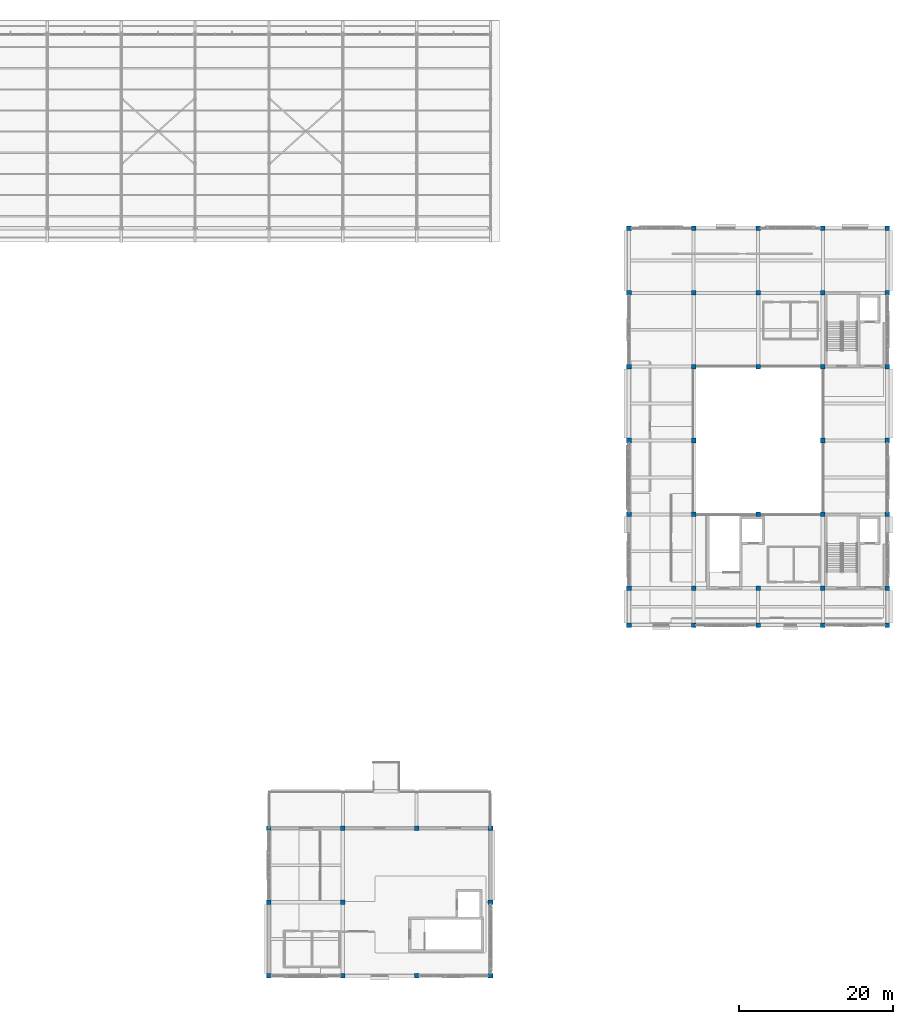
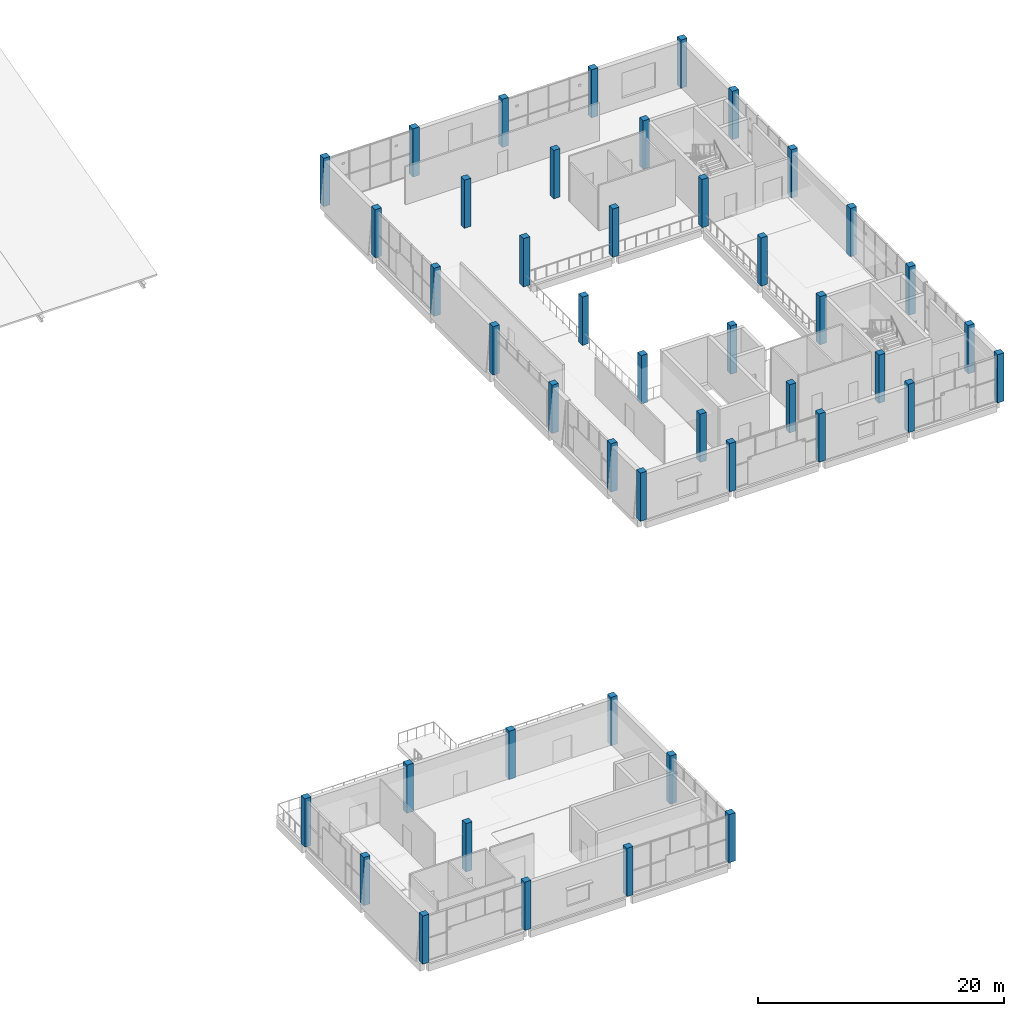
# One storey, part 1 of 37: 45 columns.
"""IFC4 building model written with IfcOpenShell, lengths in metres."""

import ifcopenshell
import ifcopenshell.guid

model = None  # the IFC model being written
_history = None  # IfcOwnerHistory: only IFC2X3 demands one
_inside = {}  # id of a spatial element -> (the spatial element, [elements in it])
_under = {}  # id of a project, library or spatial element -> (it, [spatial elements below it])
_declared = {}  # id of a project -> (the project, [libraries it declares])
_typed = {}  # id of a type object -> (the type object, [elements of that type])
_made_of = {}  # id of a material, layer set ... -> (it, [elements and type objects made of it])


def new_model(schema):
    """Start an empty IFC model of exactly this schema.

    Asked for "IFC4X3", IfcOpenShell would pick the latest addendum, in which some entities
    have other attributes; the version numbers below select the first issue.
    IFC2X3 requires an IfcOwnerHistory on every rooted entity: one is made here for all.
    """
    global model, _history
    if schema == "IFC4X3":
        model = ifcopenshell.file(schema_version=(4, 3, 0, 0))
    else:
        model = ifcopenshell.file(schema=schema)
    _inside.clear()
    _under.clear()
    _declared.clear()
    _typed.clear()
    _made_of.clear()
    _history = None
    if model.schema == "IFC2X3":
        org = make("IfcOrganization", Name="unknown")
        user = make(
            "IfcPersonAndOrganization",
            ThePerson=make("IfcPerson", FamilyName="unknown"),
            TheOrganization=org,
        )
        app = make(
            "IfcApplication",
            ApplicationDeveloper=org,
            Version="unknown",
            ApplicationFullName="unknown",
            ApplicationIdentifier="unknown",
        )
        _history = make(
            "IfcOwnerHistory",
            OwningUser=user,
            OwningApplication=app,
            ChangeAction="ADDED",
            CreationDate=0,
        )
    return model


def make(cls, **values):
    """One entity of the class cls with the attributes given. An attribute that is None is left unset."""
    return model.create_entity(
        cls, **{name: value for name, value in values.items() if value is not None}
    )


def rooted(cls, **values):
    """An entity with a GlobalId (a new one), such as an element, a storey or a relation."""
    return make(cls, GlobalId=ifcopenshell.guid.new(), OwnerHistory=_history, **values)


def si_unit(unit_type, name, prefix=None):
    """IfcSIUnit, for example si_unit("LENGTHUNIT", "METRE", prefix="MILLI")."""
    return make("IfcSIUnit", UnitType=unit_type, Prefix=prefix, Name=name)


def assignment(units):
    """IfcUnitAssignment: the units of a project."""
    return None if units is None else make("IfcUnitAssignment", Units=units)


def point(xyz):
    """IfcCartesianPoint."""
    return None if xyz is None else make("IfcCartesianPoint", Coordinates=xyz)


def direction(xyz):
    """IfcDirection."""
    return None if xyz is None else make("IfcDirection", DirectionRatios=xyz)


def frame(location, z_axis=None, x_axis=None):
    """IfcAxis2Placement3D, a coordinate frame: its origin and axes. An axis left out is left unset."""
    return make(
        "IfcAxis2Placement3D",
        Location=point(location),
        Axis=direction(z_axis),
        RefDirection=direction(x_axis),
    )


def frame_2d(location, x_axis=None):
    """IfcAxis2Placement2D, a coordinate frame in the plane: its origin and x axis."""
    return make(
        "IfcAxis2Placement2D", Location=point(location), RefDirection=direction(x_axis)
    )


def origin():
    """The frame at (0, 0, 0) with its axes left unset."""
    return frame((0.0, 0.0, 0.0))


def origin_2d():
    """The frame at (0, 0) in the plane with its x axis left unset."""
    return frame_2d((0.0, 0.0))


def place(relative_to, where):
    """IfcLocalPlacement: puts the frame where relative to a parent placement (None: the world)."""
    return make(
        "IfcLocalPlacement", PlacementRelTo=relative_to, RelativePlacement=where
    )


def context(
    kind, dimensions, precision=None, world=None, true_north=None, identifier=None
):
    """IfcGeometricRepresentationContext, for example the 3D "Model" context."""
    return make(
        "IfcGeometricRepresentationContext",
        ContextIdentifier=identifier,
        ContextType=kind,
        CoordinateSpaceDimension=dimensions,
        Precision=precision,
        WorldCoordinateSystem=world,
        TrueNorth=true_north,
    )


def subcontext(parent, identifier, kind, view, scale=None):
    """IfcGeometricRepresentationSubContext, for example "Body" below "Model"."""
    return make(
        "IfcGeometricRepresentationSubContext",
        ContextIdentifier=identifier,
        ContextType=kind,
        ParentContext=parent,
        TargetScale=scale,
        TargetView=view,
    )


def project(units=None, contexts=None):
    """IfcProject with its units and contexts."""
    return rooted(
        "IfcProject",
        Name="project",
        RepresentationContexts=contexts,
        UnitsInContext=assignment(units),
    )


def spatial(cls, under=None, at=None, **own):
    """A site, building, storey or space (cls), placed at a placement, below another one or the project."""
    s = rooted(cls, ObjectPlacement=at, **own)
    if under is not None:
        _under.setdefault(under.id(), (under, []))[1].append(s)
    return s


def profile(cls, at=None, kind="AREA", **sizes):
    """A parametric profile (cls). Its sizes go by their IFC names, for example OverallWidth=200.0."""
    return make(cls, ProfileType=kind, Position=at, **sizes)


def rectangle(**sizes):
    """IfcRectangleProfileDef."""
    return profile("IfcRectangleProfileDef", **sizes)


def extrude(swept, where, along, depth):
    """IfcExtrudedAreaSolid: the profile swept, set in the frame where, extruded along a direction by depth."""
    return make(
        "IfcExtrudedAreaSolid",
        SweptArea=swept,
        Position=where,
        ExtrudedDirection=direction(along),
        Depth=depth,
    )


def shape(context_of_items, identifier, shape_type, items):
    """IfcShapeRepresentation: the items that make up one representation, for example the "Body"."""
    return make(
        "IfcShapeRepresentation",
        ContextOfItems=context_of_items,
        RepresentationIdentifier=identifier,
        RepresentationType=shape_type,
        Items=items,
    )


def material(Name=None, Category=None):
    """IfcMaterial."""
    return make("IfcMaterial", Name=Name, Category=Category)


def material_profile(
    of_material, cross_section, Name=None, Category=None, Priority=None
):
    """IfcMaterialProfile: a cross section and its material."""
    return make(
        "IfcMaterialProfile",
        Name=Name,
        Material=of_material,
        Profile=cross_section,
        Priority=Priority,
        Category=Category,
    )


def profile_set(profiles, Name=None, composite=None):
    """IfcMaterialProfileSet."""
    return make(
        "IfcMaterialProfileSet",
        Name=Name,
        MaterialProfiles=profiles,
        CompositeProfile=composite,
    )


def made_of(thing, what):
    """Note that an element or type object is made of a material, layer set ...; save() writes the relation."""
    if what is not None:
        _made_of.setdefault(what.id(), (what, []))[1].append(thing)
    return thing


def type_object(cls, material=None, **own):
    """A type object (cls), such as IfcWallType, which elements share."""
    return made_of(rooted(cls, **own), material)


def element(
    cls,
    number,
    at=None,
    inside=None,
    cuts=None,
    type_object=None,
    material=None,
    context=None,
    identifier="Body",
    shape_type=None,
    held_by="IfcProductDefinitionShape",
    body=None,
    shapes=None,
    **own,
):
    """One element of the class cls, such as IfcWall. Its Tag is "e" and its number.

    at: its placement. inside: the storey or other place that contains it. cuts: it is an
    opening in that element (IfcRelVoidsElement). A single representation is given by context,
    identifier, shape_type and body (its items); several are given by shapes. held_by: the class
    of the entity that holds the representations. save() writes the other relations.
    """
    e = rooted(cls, Tag="e%d" % number, ObjectPlacement=at, **own)
    if body is not None:
        shapes = [shape(context, identifier, shape_type, body)]
    if shapes is not None:
        e.Representation = make(held_by, Representations=shapes)
    if inside is not None:
        _inside.setdefault(inside.id(), (inside, []))[1].append(e)
    if cuts is not None:
        rooted(
            "IfcRelVoidsElement", RelatingBuildingElement=cuts, RelatedOpeningElement=e
        )
    if type_object is not None:
        _typed.setdefault(type_object.id(), (type_object, []))[1].append(e)
    return made_of(e, material)


def aggregate(whole, parts):
    """IfcRelAggregates: a whole, such as a stair, and the parts it consists of."""
    return rooted("IfcRelAggregates", RelatingObject=whole, RelatedObjects=parts)


def save(model, path):
    """Write the relations noted so far, then the file.

    IfcRelAggregates (storeys below a building ...), IfcRelContainedInSpatialStructure (elements
    in a storey), IfcRelDefinesByType, IfcRelAssociatesMaterial and IfcRelDeclares: one each for
    every whole, place, type object, material and project.
    """
    for whole, parts in _under.values():
        aggregate(whole, parts)
    for where, things in _inside.values():
        rooted(
            "IfcRelContainedInSpatialStructure",
            RelatedElements=things,
            RelatingStructure=where,
        )
    for kind, things in _typed.values():
        rooted("IfcRelDefinesByType", RelatedObjects=things, RelatingType=kind)
    for what, things in _made_of.values():
        rooted("IfcRelAssociatesMaterial", RelatedObjects=things, RelatingMaterial=what)
    for by, libraries in _declared.values():
        rooted("IfcRelDeclares", RelatingContext=by, RelatedDefinitions=libraries)
    model.write(path)


model = new_model("IFC4")

# Units and contexts
model_context = context("Model", 3, precision=1e-05, world=origin(), true_north=direction((0.0, 1.0)))
body_context = subcontext(model_context, "Body", "Model", "MODEL_VIEW")
ifc_project = project(units=[si_unit("LENGTHUNIT", "METRE"), si_unit("AREAUNIT", "SQUARE_METRE"), si_unit("VOLUMEUNIT", "CUBIC_METRE"), si_unit("PLANEANGLEUNIT", "RADIAN"), si_unit("MASSUNIT", "GRAM", prefix="KILO")], contexts=[model_context])

# Site, building, storey
site_placement = place(None, origin())
site = spatial("IfcSite", under=ifc_project, at=site_placement, CompositionType="ELEMENT")
building_placement = place(site_placement, origin())
building = spatial("IfcBuilding", under=site, at=building_placement, Name="Shalvenor Court Art Gallery", CompositionType="ELEMENT")
storey_placement = place(building_placement, frame((0.0, 0.0, 22.199951171875)))
storey = spatial("IfcBuildingStorey", under=building, at=storey_placement, Name="L04", CompositionType="ELEMENT", Elevation=22.199951171875)

# Columns
ifc_material_1 = material(Name="Concrete C40/50", Category="concrete")
ifc_material_profile_1 = material_profile(ifc_material_1, rectangle(XDim=0.60009765625, YDim=0.60009765625, at=origin_2d()), Name="RC 600x600")
ifc_profile_set_1 = profile_set([ifc_material_profile_1], Name="Concrete C40/50")
column_type_1 = type_object("IfcColumnType", Name="C-03", PredefinedType="COLUMN", material=ifc_profile_set_1)
for number, where, z_axis, x_axis, name in (
    (1, (105.60009765625, 9.60009765625, 0.0), (0.0, 0.0, 1.0), (1.0, 0.0, 0.0), "L04 Column COL-L04-C-03-0400"),
    (2, (105.60009765625, 19.199951171875, 0.0), (0.0, 0.0, 1.0), (1.0, 0.0, 0.0), "L04 Column COL-L04-C-03-0406"),
    (3, (115.199951171875, 19.199951171875, 0.0), (0.0, 0.0, 1.0), (1.0, 0.0, 0.0), "L04 Column COL-L04-C-03-0456"),
    (4, (142.800048828125, 45.60009765625, 0.0), (0.0, 0.0, 1.0), (1.0, 0.0, 0.0), "L04 Column COL-L04-C-03-0556"),
    (5, (142.800048828125, 50.39990234375, 0.0), (0.0, 0.0, 1.0), (1.0, 0.0, 0.0), "L04 Column COL-L04-C-03-0562"),
    (6, (142.800048828125, 60.0, 0.0), (0.0, 0.0, 1.0), (1.0, 0.0, 0.0), "L04 Column COL-L04-C-03-0568"),
    (7, (142.800048828125, 69.60009765625, 0.0), (0.0, 0.0, 1.0), (1.0, 0.0, 0.0), "L04 Column COL-L04-C-03-0574"),
    (8, (142.800048828125, 79.199951171875, 0.0), (0.0, 0.0, 1.0), (1.0, 0.0, 0.0), "L04 Column COL-L04-C-03-0580"),
    (9, (142.800048828125, 88.800048828125, 0.0), (0.0, 0.0, 1.0), (1.0, 0.0, 0.0), "L04 Column COL-L04-C-03-0586"),
    (10, (151.199951171875, 45.60009765625, 0.0), (0.0, 0.0, 1.0), (1.0, 0.0, 0.0), "L04 Column COL-L04-C-03-0598"),
    (11, (151.199951171875, 50.39990234375, 0.0), (0.0, 0.0, 1.0), (1.0, 0.0, 0.0), "L04 Column COL-L04-C-03-0604"),
    (12, (151.199951171875, 60.0, 0.0), (0.0, 0.0, 1.0), (1.0, 0.0, 0.0), "L04 Column COL-L04-C-03-0610"),
    (13, (151.199951171875, 69.60009765625, 0.0), (0.0, 0.0, 1.0), (1.0, 0.0, 0.0), "L04 Column COL-L04-C-03-0616"),
    (14, (151.199951171875, 79.199951171875, 0.0), (0.0, 0.0, 1.0), (1.0, 0.0, 0.0), "L04 Column COL-L04-C-03-0622"),
    (15, (151.199951171875, 88.800048828125, 0.0), (0.0, 0.0, 1.0), (1.0, 0.0, 0.0), "L04 Column COL-L04-C-03-0628"),
    (16, (159.60009765625, 45.60009765625, 0.0), (0.0, 0.0, 1.0), (1.0, 0.0, 0.0), "L04 Column COL-L04-C-03-0640"),
    (17, (159.60009765625, 50.39990234375, 0.0), (0.0, 0.0, 1.0), (1.0, 0.0, 0.0), "L04 Column COL-L04-C-03-0647"),
    (18, (159.60009765625, 60.0, 0.0), (0.0, 0.0, 1.0), (1.0, 0.0, 0.0), "L04 Column COL-L04-C-03-0654"),
    (19, (159.60009765625, 79.199951171875, 0.0), (0.0, 0.0, 1.0), (1.0, 0.0, 0.0), "L04 Column COL-L04-C-03-0661"),
    (20, (159.60009765625, 88.800048828125, 0.0), (0.0, 0.0, 1.0), (1.0, 0.0, 0.0), "L04 Column COL-L04-C-03-0668"),
    (21, (168.0, 45.60009765625, 0.0), (0.0, 0.0, 1.0), (1.0, 0.0, 0.0), "L04 Column COL-L04-C-03-0682"),
    (22, (168.0, 50.39990234375, 0.0), (0.0, 0.0, 1.0), (1.0, 0.0, 0.0), "L04 Column COL-L04-C-03-0689"),
    (23, (168.0, 60.0, 0.0), (0.0, 0.0, 1.0), (1.0, 0.0, 0.0), "L04 Column COL-L04-C-03-0696"),
    (24, (168.0, 69.60009765625, 0.0), (0.0, 0.0, 1.0), (1.0, 0.0, 0.0), "L04 Column COL-L04-C-03-0703"),
    (25, (168.0, 79.199951171875, 0.0), (0.0, 0.0, 1.0), (1.0, 0.0, 0.0), "L04 Column COL-L04-C-03-0710"),
    (26, (168.0, 88.800048828125, 0.0), (0.0, 0.0, 1.0), (1.0, 0.0, 0.0), "L04 Column COL-L04-C-03-0717"),
):
    element("IfcColumn", number, at=place(storey_placement, frame(where, z_axis=z_axis, x_axis=x_axis)), inside=storey, type_object=column_type_1, Name=name, PredefinedType="COLUMN", context=body_context, shape_type="SweptSolid", body=[
        extrude(rectangle(XDim=0.60009765625, YDim=0.60009765625, at=origin_2d()), origin(), (0.0, 0.0, 1.0), 4.800048828125),
    ])
ifc_material_2 = material(Name="Concrete C40/50", Category="concrete")
ifc_material_profile_2 = material_profile(ifc_material_2, rectangle(XDim=0.60009765625, YDim=0.60009765625, at=origin_2d()), Name="RC 600x600")
ifc_profile_set_2 = profile_set([ifc_material_profile_2], Name="Concrete C40/50")
column_type_2 = type_object("IfcColumnType", Name="C-03E", PredefinedType="COLUMN", material=ifc_profile_set_2)
for number, where, z_axis, x_axis, name in (
    (27, (96.0, 0.0, 0.0), (0.0, 0.0, 1.0), (1.0, 0.0, 0.0), "L04 Column COL-L04-C-03E-0343"),
    (28, (96.0, 9.60009765625, 0.0), (0.0, 0.0, 1.0), (1.0, 0.0, 0.0), "L04 Column COL-L04-C-03E-0349"),
    (29, (96.0, 19.199951171875, 0.0), (0.0, 0.0, 1.0), (1.0, 0.0, 0.0), "L04 Column COL-L04-C-03E-0355"),
    (30, (105.60009765625, 0.0, 0.0), (0.0, 0.0, 1.0), (1.0, 0.0, 0.0), "L04 Column COL-L04-C-03E-0394"),
    (31, (115.199951171875, 0.0, 0.0), (0.0, 0.0, 1.0), (1.0, 0.0, 0.0), "L04 Column COL-L04-C-03E-0450"),
    (32, (124.800048828125, 0.0, 0.0), (0.0, 0.0, 1.0), (1.0, 0.0, 0.0), "L04 Column COL-L04-C-03E-0491"),
    (33, (124.800048828125, 9.60009765625, 0.0), (0.0, 0.0, 1.0), (1.0, 0.0, 0.0), "L04 Column COL-L04-C-03E-0497"),
    (34, (124.800048828125, 19.199951171875, 0.0), (0.0, 0.0, 1.0), (1.0, 0.0, 0.0), "L04 Column COL-L04-C-03E-0503"),
    (35, (142.800048828125, 97.199951171875, 0.0), (0.0, 0.0, 1.0), (1.0, 0.0, 0.0), "L04 Column COL-L04-C-03E-0592"),
    (36, (151.199951171875, 97.199951171875, 0.0), (0.0, 0.0, 1.0), (1.0, 0.0, 0.0), "L04 Column COL-L04-C-03E-0634"),
    (37, (159.60009765625, 97.199951171875, 0.0), (0.0, 0.0, 1.0), (1.0, 0.0, 0.0), "L04 Column COL-L04-C-03E-0675"),
    (38, (168.0, 97.199951171875, 0.0), (0.0, 0.0, 1.0), (1.0, 0.0, 0.0), "L04 Column COL-L04-C-03E-0724"),
    (39, (176.39990234375, 45.60009765625, 0.0), (0.0, 0.0, 1.0), (1.0, 0.0, 0.0), "L04 Column COL-L04-C-03E-0731"),
    (40, (176.39990234375, 50.39990234375, 0.0), (0.0, 0.0, 1.0), (1.0, 0.0, 0.0), "L04 Column COL-L04-C-03E-0738"),
    (41, (176.39990234375, 60.0, 0.0), (0.0, 0.0, 1.0), (1.0, 0.0, 0.0), "L04 Column COL-L04-C-03E-0745"),
    (42, (176.39990234375, 69.60009765625, 0.0), (0.0, 0.0, 1.0), (1.0, 0.0, 0.0), "L04 Column COL-L04-C-03E-0752"),
    (43, (176.39990234375, 79.199951171875, 0.0), (0.0, 0.0, 1.0), (1.0, 0.0, 0.0), "L04 Column COL-L04-C-03E-0759"),
    (44, (176.39990234375, 88.800048828125, 0.0), (0.0, 0.0, 1.0), (1.0, 0.0, 0.0), "L04 Column COL-L04-C-03E-0766"),
    (45, (176.39990234375, 97.199951171875, 0.0), (0.0, 0.0, 1.0), (1.0, 0.0, 0.0), "L04 Column COL-L04-C-03E-0773"),
):
    element("IfcColumn", number, at=place(storey_placement, frame(where, z_axis=z_axis, x_axis=x_axis)), inside=storey, type_object=column_type_2, Name=name, PredefinedType="COLUMN", context=body_context, shape_type="SweptSolid", body=[
        extrude(rectangle(XDim=0.60009765625, YDim=0.60009765625, at=origin_2d()), origin(), (0.0, 0.0, 1.0), 4.800048828125),
    ])

save(model, "model.ifc")
